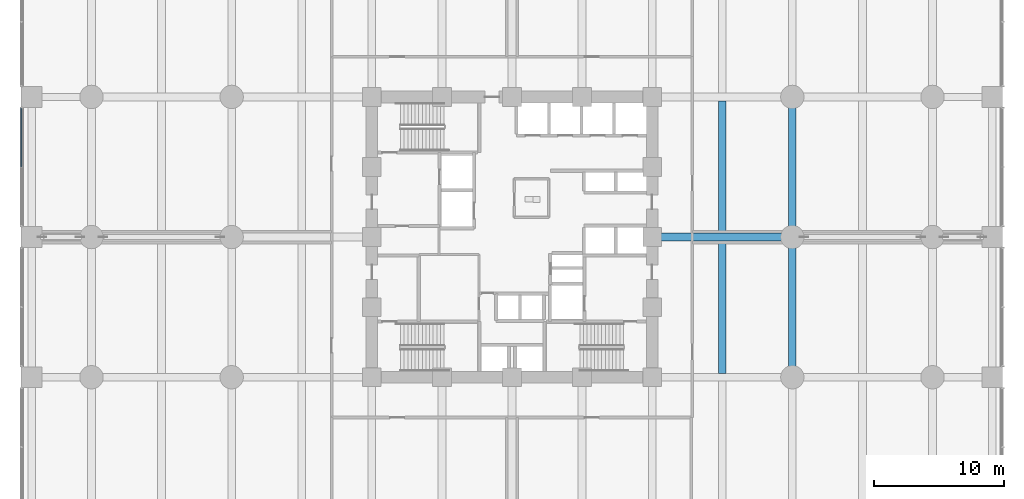
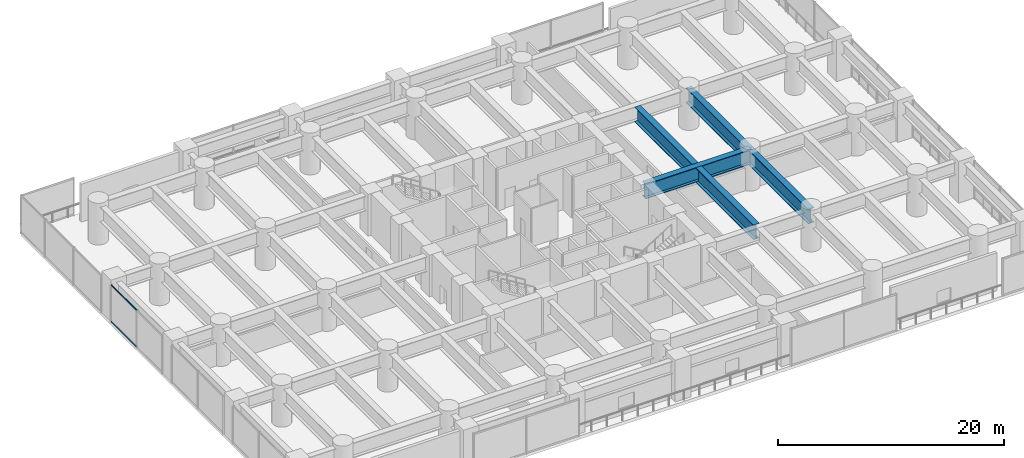
# One storey, part 10 of 37: 5 beams, 2 members, 1 element without a shape of its own.
"""IFC4 building model written with IfcOpenShell, lengths in metres."""

from ifc_helpers import new_model, si_unit, direction, frame, origin, origin_2d, place, context, subcontext, project, spatial, hollow_rectangle, i_section, extrude, material, layer, layer_set, material_profile, profile_set, type_object, element, aggregate, save


model = new_model("IFC4")

# Units and contexts
model_context = context("Model", 3, precision=1e-05, world=origin(), true_north=direction((0.0, 1.0)))
body_context = subcontext(model_context, "Body", "Model", "MODEL_VIEW")
ifc_project = project(units=[si_unit("LENGTHUNIT", "METRE"), si_unit("AREAUNIT", "SQUARE_METRE"), si_unit("VOLUMEUNIT", "CUBIC_METRE"), si_unit("PLANEANGLEUNIT", "RADIAN"), si_unit("MASSUNIT", "GRAM", prefix="KILO")], contexts=[model_context])

# Site, building, storey
site_placement = place(None, origin())
site = spatial("IfcSite", under=ifc_project, at=site_placement, CompositionType="ELEMENT")
building_placement = place(site_placement, origin())
building = spatial("IfcBuilding", under=site, at=building_placement, Name="Surkhivell Harbour Commons", CompositionType="ELEMENT")
storey_placement = place(building_placement, frame((0.0, 0.0, 18.0)))
storey = spatial("IfcBuildingStorey", under=building, at=storey_placement, Name="L04", CompositionType="ELEMENT", Elevation=18.0)

# Beams
ifc_material_1 = material(Name="Steel S460", Category="steel")
ifc_material_profile_1 = material_profile(ifc_material_1, i_section(OverallWidth=0.60009765625, OverallDepth=1.60009765625, WebThickness=0.035888671875, FlangeThickness=0.06494140625, at=origin_2d()), Name="WPG1600x600x296")
ifc_profile_set_1 = profile_set([ifc_material_profile_1], Name="Steel S460")
beam_type = type_object("IfcBeamType", Name="BM-TRF-1600", PredefinedType="BEAM", material=ifc_profile_set_1)
for number, where, z_axis, x_axis, name in (
    (1, (10.800048828125, 0.0, 3.280029296875), (1.0, 0.0, 0.0), (0.0, 1.0, 0.0), "L04 Transfer Girder (10.8,0.0)"),
    (2, (21.60009765625, -10.800048828125, 3.280029296875), (0.0, 1.0, 0.0), (-1.0, 0.0, 0.0), "L04 Transfer Girder (21.6,-10.8)"),
    (3, (21.60009765625, 0.0, 3.280029296875), (0.0, 1.0, 0.0), (-1.0, 0.0, 0.0), "L04 Transfer Girder (21.6,0.0)"),
):
    element("IfcBeam", number, at=place(storey_placement, frame(where, z_axis=z_axis, x_axis=x_axis)), inside=storey, type_object=beam_type, Name=name, PredefinedType="BEAM", context=body_context, shape_type="SweptSolid", body=[
        extrude(i_section(OverallWidth=0.60009765625, OverallDepth=1.60009765625, WebThickness=0.035888671875, FlangeThickness=0.06494140625, at=origin_2d()), origin(), (0.0, 0.0, 1.0), 10.800048828125),
    ])
for number, where, z_axis, x_axis, name in (
    (4, (16.199951171875, -10.501953125, 3.280029296875), (0.0, 1.0, 0.0), (-1.0, 0.0, 0.0), "L04 Secondary Transfer Girder (16.2,-10.8)"),
    (5, (16.199951171875, 0.298095703125, 3.280029296875), (0.0, 1.0, 0.0), (-1.0, 0.0, 0.0), "L04 Secondary Transfer Girder (16.2,0.0)"),
):
    element("IfcBeam", number, at=place(storey_placement, frame(where, z_axis=z_axis, x_axis=x_axis)), inside=storey, type_object=beam_type, Name=name, PredefinedType="BEAM", context=body_context, shape_type="SweptSolid", body=[
        extrude(i_section(OverallWidth=0.60009765625, OverallDepth=1.60009765625, WebThickness=0.035888671875, FlangeThickness=0.06494140625, at=origin_2d()), origin(), (0.0, 0.0, 1.0), 10.203857421875),
    ])

# Curtain wall, members
ifc_material_2 = material(Name="Anodised pale-metal aluminium and insulated glazing", Category="aluminium")
ifc_layer = layer(ifc_material_2, 0.239990234375)
ifc_layer_set = layer_set([ifc_layer], Name="Anodised pale-metal aluminium and insulated glazing")
curtain_wall_type = type_object("IfcCurtainWallType", Name="CW-SYS-POD", PredefinedType="NOTDEFINED", material=ifc_layer_set)
curtain_wall_placement = place(storey_placement, origin())
curtain_wall = element("IfcCurtainWall", 6, at=curtain_wall_placement, inside=storey, type_object=curtain_wall_type, Name="L04 Curtain Wall CW-L04-W4", PredefinedType="NOTDEFINED")
ifc_material_3 = material(Name="Anodised pale-metal aluminium alloy 6063-T6", Category="aluminium")
ifc_material_profile_2 = material_profile(ifc_material_3, hollow_rectangle(XDim=0.074951171875, YDim=0.14990234375, WallThickness=0.00341796875, at=origin_2d()), Name="ALU-TRAN-75x150")
ifc_profile_set_2 = profile_set([ifc_material_profile_2], Name="Anodised pale-metal aluminium alloy 6063-T6")
member_type = type_object("IfcMemberType", Name="CWT-150", PredefinedType="USERDEFINED", material=ifc_profile_set_2)
member_1_placement = place(storey_placement, frame((-37.800048828125, 5.4375, 0.074951171875), z_axis=(0.0, 1.0, 0.0), x_axis=(-1.0, 0.0, 0.0)))
member_1 = element("IfcMember", 7, at=member_1_placement, type_object=member_type, Name="CW-POD transom 2.1", ObjectType="TRANSOM", PredefinedType="USERDEFINED", context=body_context, shape_type="SweptSolid", body=[
    extrude(hollow_rectangle(XDim=0.074951171875, YDim=0.14990234375, WallThickness=0.00341796875, at=origin_2d()), origin(), (0.0, 0.0, 1.0), 4.485595703125),
])
member_2_placement = place(storey_placement, frame((-37.800048828125, 5.4375, 4.0048828125), z_axis=(0.0, 1.0, 0.0), x_axis=(-1.0, 0.0, 0.0)))
member_2 = element("IfcMember", 8, at=member_2_placement, type_object=member_type, Name="CW-POD transom 2.2", ObjectType="TRANSOM", PredefinedType="USERDEFINED", context=body_context, shape_type="SweptSolid", body=[
    extrude(hollow_rectangle(XDim=0.074951171875, YDim=0.14990234375, WallThickness=0.00341796875, at=origin_2d()), origin(), (0.0, 0.0, 1.0), 4.485595703125),
])
aggregate(curtain_wall, [member_1, member_2])

save(model, "model.ifc")
